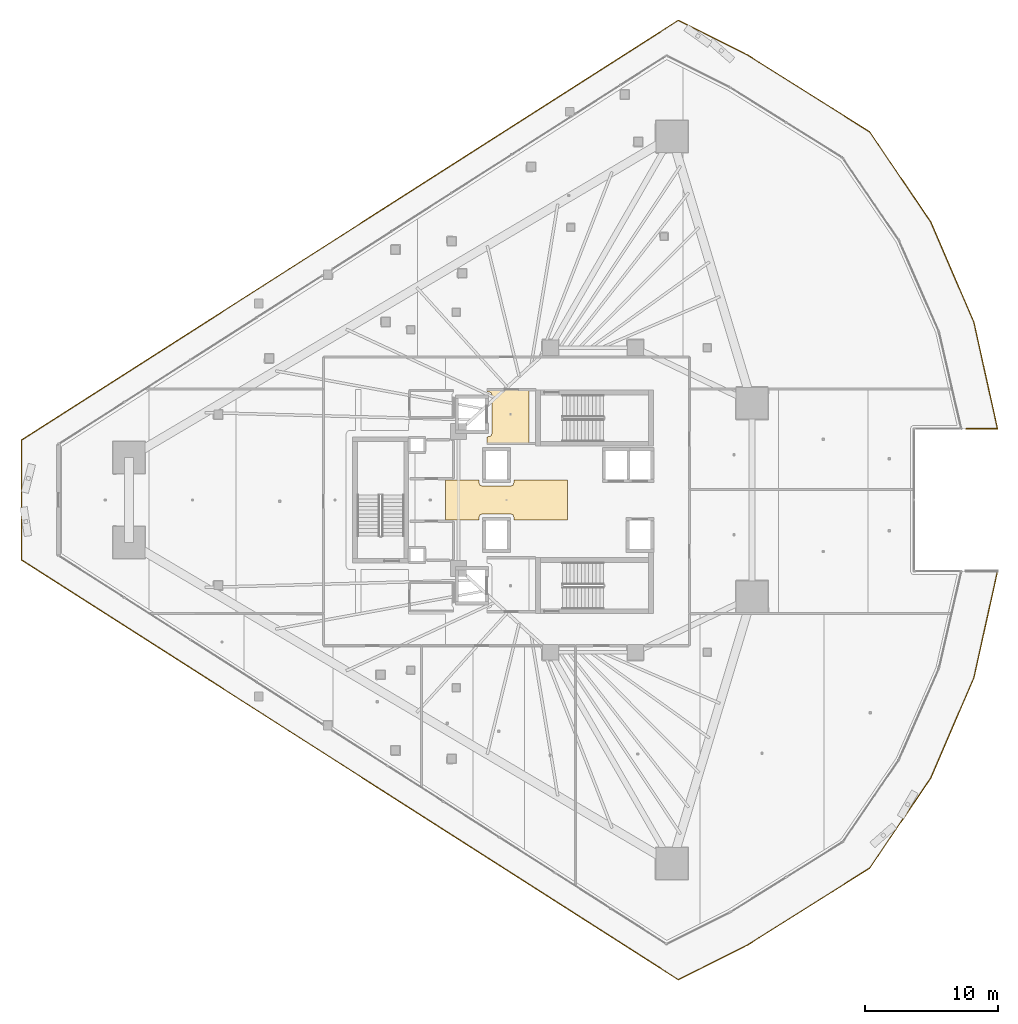
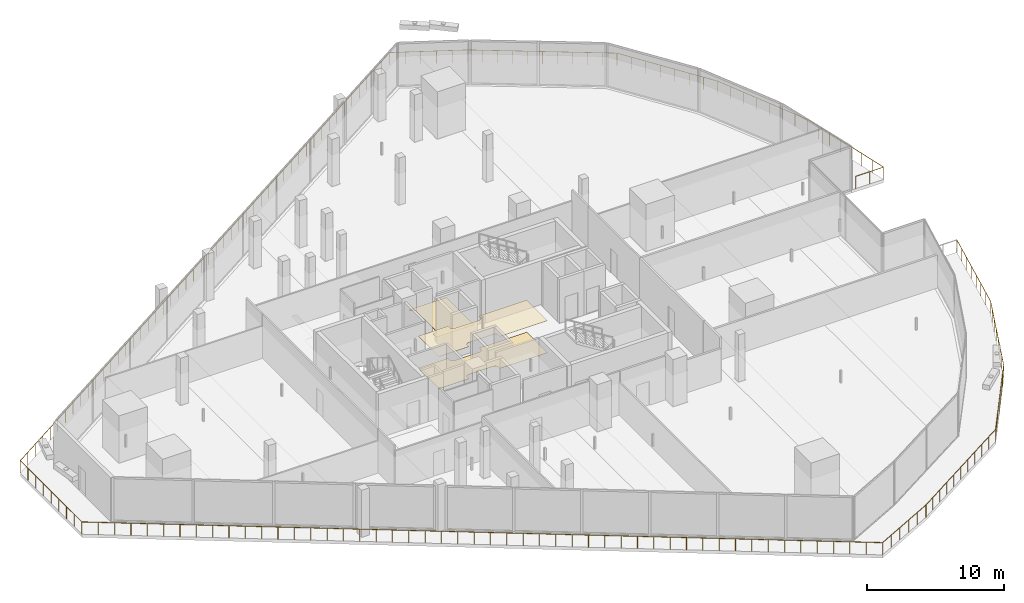
# One storey, part 42 of 44: 3 coverings, 1 railing.
"""IFC4 building model written with IfcOpenShell, lengths in metres."""

from ifc_helpers import new_model, si_unit, direction, frame, origin, origin_2d, place, context, subcontext, project, spatial, polyline, circle, outline, extrude, material, layer, layer_set, type_object, element, save


model = new_model("IFC4")

# Units and contexts
model_context = context("Model", 3, precision=1e-05, world=origin(), true_north=direction((0.0, 1.0)))
body_context = subcontext(model_context, "Body", "Model", "MODEL_VIEW")
ifc_project = project(units=[si_unit("LENGTHUNIT", "METRE"), si_unit("AREAUNIT", "SQUARE_METRE"), si_unit("VOLUMEUNIT", "CUBIC_METRE"), si_unit("PLANEANGLEUNIT", "RADIAN"), si_unit("MASSUNIT", "GRAM", prefix="KILO")], contexts=[model_context])

# Site, building, storey
site_placement = place(None, origin())
site = spatial("IfcSite", under=ifc_project, at=site_placement, CompositionType="ELEMENT")
building_placement = place(site_placement, origin())
building = spatial("IfcBuilding", under=site, at=building_placement, Name="Qorvath Tower", CompositionType="ELEMENT")
storey_placement = place(building_placement, frame((0.0, 0.0, 40.800048828125)))
storey = spatial("IfcBuildingStorey", under=building, at=storey_placement, Name="L08", CompositionType="ELEMENT", Elevation=40.800048828125)

# Coverings
ifc_material_1 = material(Name="Acoustic mineral fibre ceiling tile", Category="gypsum")
ifc_layer_1 = layer(ifc_material_1, 0.030029296875)
ifc_layer_set_1 = layer_set([ifc_layer_1], Name="COV-CEIL")
covering_type_1 = type_object("IfcCoveringType", Name="COV-CEIL", PredefinedType="CEILING", material=ifc_layer_set_1)
covering_1_placement = place(storey_placement, frame((0.0, 0.0, 2.849853515625)))
element("IfcCovering", 1, at=covering_1_placement, inside=storey, type_object=covering_type_1, Name="L08 Suspended Acoustic Ceiling 009", PredefinedType="CEILING", context=body_context, shape_type="SweptSolid", body=[
    extrude(outline(polyline([(-22.318359375, -1.514892578125), (-22.318359375, 1.514892578125), (-26.340087890625, 1.514892578125), (-26.340087890625, 1.2900390625), (-26.413330078125, 1.11328125), (-26.590087890625, 1.0400390625), (-28.7099609375, 1.0400390625), (-28.88671875, 1.11328125), (-28.9599609375, 1.2900390625), (-28.9599609375, 1.514892578125), (-31.481689453125, 1.514892578125), (-31.481689453125, -1.514892578125), (-28.9599609375, -1.514892578125), (-28.9599609375, -1.2900390625), (-28.88671875, -1.11328125), (-28.7099609375, -1.0400390625), (-26.590087890625, -1.0400390625), (-26.413330078125, -1.11328125), (-26.340087890625, -1.2900390625), (-26.340087890625, -1.514892578125), (-22.318359375, -1.514892578125)])), origin(), (0.0, 0.0, 1.0), 0.030029296875),
])
ifc_material_2 = material(Name="Polished epoxy terrazzo flooring", Category="concrete")
ifc_layer_2 = layer(ifc_material_2, 0.02001953125)
ifc_layer_set_2 = layer_set([ifc_layer_2], Name="COV-FLOOR-TRZ")
covering_type_2 = type_object("IfcCoveringType", Name="COV-FLOOR-TRZ", PredefinedType="FLOORING", material=ifc_layer_set_2)
covering_2_placement = place(storey_placement, origin())
element("IfcCovering", 2, at=covering_2_placement, inside=storey, type_object=covering_type_2, Name="L08 Floor Finish 001", PredefinedType="FLOORING", context=body_context, shape_type="SweptSolid", body=[
    extrude(outline(polyline([(-25.18994140625, 4.2548828125), (-25.18994140625, 8.294921875), (-28.375, 8.294921875), (-28.375, 8.159912109375), (-28.063232421875, 8.086669921875), (-27.989990234375, 7.909912109375), (-27.989990234375, 4.989990234375), (-28.063232421875, 4.813232421875), (-28.375, 4.739990234375), (-28.375, 4.2548828125), (-25.18994140625, 4.2548828125)])), origin(), (0.0, 0.0, 1.0), 0.014892578125),
])
covering_3_placement = place(storey_placement, origin())
element("IfcCovering", 3, at=covering_3_placement, inside=storey, type_object=covering_type_2, Name="L08 Floor Finish 009", PredefinedType="FLOORING", context=body_context, shape_type="SweptSolid", body=[
    extrude(outline(polyline([(-22.318359375, -1.514892578125), (-22.318359375, 1.514892578125), (-26.340087890625, 1.514892578125), (-26.340087890625, 1.2900390625), (-26.413330078125, 1.11328125), (-26.590087890625, 1.0400390625), (-28.7099609375, 1.0400390625), (-28.88671875, 1.11328125), (-28.9599609375, 1.2900390625), (-28.9599609375, 1.514892578125), (-31.481689453125, 1.514892578125), (-31.481689453125, -1.514892578125), (-28.9599609375, -1.514892578125), (-28.9599609375, -1.2900390625), (-28.88671875, -1.11328125), (-28.7099609375, -1.0400390625), (-26.590087890625, -1.0400390625), (-26.413330078125, -1.11328125), (-26.340087890625, -1.2900390625), (-26.340087890625, -1.514892578125), (-22.318359375, -1.514892578125)])), origin(), (0.0, 0.0, 1.0), 0.014892578125),
])

# Railing
ifc_material_3 = material(Name="Laminated safety glass and stainless steel AISI 316", Category="steel")
railing_type = type_object("IfcRailingType", Name="RL-EXT-GRD", PredefinedType="GUARDRAIL", material=ifc_material_3)
railing_placement = place(storey_placement, frame((10.030029296875, -5.356689453125, 0.0)))
element("IfcRailing", 4, at=railing_placement, inside=storey, type_object=railing_type, Name="Loggia Perimeter Guardrail L08-1.1", PredefinedType="GUARDRAIL", context=body_context, shape_type="SweptSolid", body=[
    extrude(circle(Radius=0.02392578125, at=origin_2d()), frame((0.0, 0.0, 1.09619140625), z_axis=(-0.216073224213, -0.976377161643, 0.0), x_axis=(0.976377161643, -0.216073224213, 0.0)), (0.0, 0.0, 1.0), 8.203125),
    extrude(circle(Radius=0.02392578125, at=origin_2d()), frame((-1.7724609375, -8.00927734375, 1.09619140625), z_axis=(-0.395484853012, -0.918472498792, 0.0), x_axis=(0.918472498792, -0.395484853012, 0.0)), (0.0, 0.0, 1.0), 8.202880859375),
    extrude(circle(Radius=0.02392578125, at=origin_2d()), frame((-5.0166015625, -15.54345703125, 1.09619140625), z_axis=(-0.560818530713, -0.827938751121, 0.0), x_axis=(0.827938751121, -0.560818530713, 0.0)), (0.0, 0.0, 1.0), 8.202880859375),
    extrude(circle(Radius=0.02392578125, at=origin_2d()), frame((-9.616943359375, -22.3349609375, 1.09619140625), z_axis=(-0.846493615639, -0.532398871789, 0.0), x_axis=(0.532398871789, -0.846493615639, 0.0)), (0.0, 0.0, 1.0), 10.908447265625),
    extrude(circle(Radius=0.02392578125, at=origin_2d()), frame((-18.850830078125, -28.142578125, 1.09619140625), z_axis=(-0.894427191, -0.4472135955, 0.0), x_axis=(0.4472135955, -0.894427191, 0.0)), (0.0, 0.0, 1.0), 5.76220703125),
    extrude(circle(Radius=0.02392578125, at=origin_2d()), frame((-24.004638671875, -30.719482421875, 1.09619140625), z_axis=(-0.842603389568, 0.538534611598, 0.0), x_axis=(-0.538534611598, -0.842603389568, 0.0)), (0.0, 0.0, 1.0), 58.61572265625),
    extrude(circle(Radius=0.02392578125, at=origin_2d()), frame((-73.39453125, 0.84716796875, 1.09619140625), z_axis=(0.0, 1.0, 0.0), x_axis=(-1.0, 0.0, 0.0)), (0.0, 0.0, 1.0), 9.01904296875),
    extrude(circle(Radius=0.02392578125, at=origin_2d()), frame((-73.39453125, 9.8662109375, 1.09619140625), z_axis=(0.842603389568, 0.538534611598, 0.0), x_axis=(-0.538534611598, 0.842603389568, 0.0)), (0.0, 0.0, 1.0), 58.61572265625),
    extrude(circle(Radius=0.02392578125, at=origin_2d()), frame((-24.004638671875, 41.432861328125, 1.09619140625), z_axis=(0.894427191, -0.4472135955, 0.0), x_axis=(0.4472135955, 0.894427191, 0.0)), (0.0, 0.0, 1.0), 5.76220703125),
    extrude(circle(Radius=0.02392578125, at=origin_2d()), frame((-18.850830078125, 38.85595703125, 1.09619140625), z_axis=(0.846493615639, -0.532398871789, 0.0), x_axis=(0.532398871789, 0.846493615639, 0.0)), (0.0, 0.0, 1.0), 10.908447265625),
    extrude(circle(Radius=0.02392578125, at=origin_2d()), frame((-9.616943359375, 33.04833984375, 1.09619140625), z_axis=(0.560818530713, -0.827938751121, 0.0), x_axis=(0.827938751121, 0.560818530713, 0.0)), (0.0, 0.0, 1.0), 8.202880859375),
    extrude(circle(Radius=0.02392578125, at=origin_2d()), frame((-5.0166015625, 26.2568359375, 1.09619140625), z_axis=(0.395484853012, -0.918472498792, 0.0), x_axis=(0.918472498792, 0.395484853012, 0.0)), (0.0, 0.0, 1.0), 8.202880859375),
    extrude(circle(Radius=0.02392578125, at=origin_2d()), frame((-1.7724609375, 18.72265625, 1.09619140625), z_axis=(0.216073224213, -0.976377161643, 0.0), x_axis=(0.976377161643, 0.216073224213, 0.0)), (0.0, 0.0, 1.0), 8.203125),
    extrude(circle(Radius=0.02392578125, at=origin_2d()), frame((0.0, 10.71337890625, 1.09619140625), z_axis=(-1.0, 0.0, 0.0), x_axis=(0.0, -1.0, 0.0)), (0.0, 0.0, 1.0), 2.3662109375),
    extrude(circle(Radius=0.02099609375, at=origin_2d()), origin(), (0.0, 0.0, 1.0), 1.072021484375),
    extrude(circle(Radius=0.02099609375, at=origin_2d()), frame((-0.253173828125, -1.144287109375, 0.0)), (0.0, 0.0, 1.0), 1.072021484375),
    extrude(circle(Radius=0.02099609375, at=origin_2d()), frame((-0.50634765625, -2.288330078125, 0.0)), (0.0, 0.0, 1.0), 1.072021484375),
    extrude(circle(Radius=0.02099609375, at=origin_2d()), frame((-0.759521484375, -3.4326171875, 0.0)), (0.0, 0.0, 1.0), 1.072021484375),
    extrude(circle(Radius=0.02099609375, at=origin_2d()), frame((-1.012939453125, -4.57666015625, 0.0)), (0.0, 0.0, 1.0), 1.072021484375),
    extrude(circle(Radius=0.02099609375, at=origin_2d()), frame((-1.26611328125, -5.720947265625, 0.0)), (0.0, 0.0, 1.0), 1.072021484375),
    extrude(circle(Radius=0.02099609375, at=origin_2d()), frame((-1.519287109375, -6.864990234375, 0.0)), (0.0, 0.0, 1.0), 1.072021484375),
    extrude(circle(Radius=0.02099609375, at=origin_2d()), frame((-1.7724609375, -8.00927734375, 0.0)), (0.0, 0.0, 1.0), 1.072021484375),
    extrude(circle(Radius=0.02099609375, at=origin_2d()), frame((-2.23583984375, -9.085693359375, 0.0)), (0.0, 0.0, 1.0), 1.072021484375),
    extrude(circle(Radius=0.02099609375, at=origin_2d()), frame((-2.699462890625, -10.161865234375, 0.0)), (0.0, 0.0, 1.0), 1.072021484375),
    extrude(circle(Radius=0.02099609375, at=origin_2d()), frame((-3.162841796875, -11.23828125, 0.0)), (0.0, 0.0, 1.0), 1.072021484375),
    extrude(circle(Radius=0.02099609375, at=origin_2d()), frame((-3.626220703125, -12.314453125, 0.0)), (0.0, 0.0, 1.0), 1.072021484375),
    extrude(circle(Radius=0.02099609375, at=origin_2d()), frame((-4.089599609375, -13.390869140625, 0.0)), (0.0, 0.0, 1.0), 1.072021484375),
    extrude(circle(Radius=0.02099609375, at=origin_2d()), frame((-4.55322265625, -14.467041015625, 0.0)), (0.0, 0.0, 1.0), 1.072021484375),
    extrude(circle(Radius=0.02099609375, at=origin_2d()), frame((-5.0166015625, -15.54345703125, 0.0)), (0.0, 0.0, 1.0), 1.072021484375),
    extrude(circle(Radius=0.02099609375, at=origin_2d()), frame((-5.673828125, -16.513671875, 0.0)), (0.0, 0.0, 1.0), 1.072021484375),
    extrude(circle(Radius=0.02099609375, at=origin_2d()), frame((-6.3310546875, -17.48388671875, 0.0)), (0.0, 0.0, 1.0), 1.072021484375),
    extrude(circle(Radius=0.02099609375, at=origin_2d()), frame((-6.98828125, -18.4541015625, 0.0)), (0.0, 0.0, 1.0), 1.072021484375),
    extrude(circle(Radius=0.02099609375, at=origin_2d()), frame((-7.645263671875, -19.42431640625, 0.0)), (0.0, 0.0, 1.0), 1.072021484375),
    extrude(circle(Radius=0.02099609375, at=origin_2d()), frame((-8.302490234375, -20.39453125, 0.0)), (0.0, 0.0, 1.0), 1.072021484375),
    extrude(circle(Radius=0.02099609375, at=origin_2d()), frame((-8.959716796875, -21.36474609375, 0.0)), (0.0, 0.0, 1.0), 1.072021484375),
    extrude(circle(Radius=0.02099609375, at=origin_2d()), frame((-9.616943359375, -22.3349609375, 0.0)), (0.0, 0.0, 1.0), 1.072021484375),
    extrude(circle(Radius=0.02099609375, at=origin_2d()), frame((-10.540283203125, -22.915771484375, 0.0)), (0.0, 0.0, 1.0), 1.072021484375),
    extrude(circle(Radius=0.02099609375, at=origin_2d()), frame((-11.463623046875, -23.49658203125, 0.0)), (0.0, 0.0, 1.0), 1.072021484375),
    extrude(circle(Radius=0.02099609375, at=origin_2d()), frame((-12.38720703125, -24.0771484375, 0.0)), (0.0, 0.0, 1.0), 1.072021484375),
    extrude(circle(Radius=0.02099609375, at=origin_2d()), frame((-13.310546875, -24.657958984375, 0.0)), (0.0, 0.0, 1.0), 1.072021484375),
    extrude(circle(Radius=0.02099609375, at=origin_2d()), frame((-14.23388671875, -25.23876953125, 0.0)), (0.0, 0.0, 1.0), 1.072021484375),
    extrude(circle(Radius=0.02099609375, at=origin_2d()), frame((-15.1572265625, -25.819580078125, 0.0)), (0.0, 0.0, 1.0), 1.072021484375),
    extrude(circle(Radius=0.02099609375, at=origin_2d()), frame((-16.08056640625, -26.400390625, 0.0)), (0.0, 0.0, 1.0), 1.072021484375),
    extrude(circle(Radius=0.02099609375, at=origin_2d()), frame((-17.004150390625, -26.98095703125, 0.0)), (0.0, 0.0, 1.0), 1.072021484375),
    extrude(circle(Radius=0.02099609375, at=origin_2d()), frame((-17.927490234375, -27.561767578125, 0.0)), (0.0, 0.0, 1.0), 1.072021484375),
    extrude(circle(Radius=0.02099609375, at=origin_2d()), frame((-18.850830078125, -28.142578125, 0.0)), (0.0, 0.0, 1.0), 1.072021484375),
    extrude(circle(Radius=0.02099609375, at=origin_2d()), frame((-19.881591796875, -28.657958984375, 0.0)), (0.0, 0.0, 1.0), 1.072021484375),
    extrude(circle(Radius=0.02099609375, at=origin_2d()), frame((-20.912353515625, -29.17333984375, 0.0)), (0.0, 0.0, 1.0), 1.072021484375),
    extrude(circle(Radius=0.02099609375, at=origin_2d()), frame((-21.943115234375, -29.688720703125, 0.0)), (0.0, 0.0, 1.0), 1.072021484375),
    extrude(circle(Radius=0.02099609375, at=origin_2d()), frame((-22.973876953125, -30.2041015625, 0.0)), (0.0, 0.0, 1.0), 1.072021484375),
    extrude(circle(Radius=0.02099609375, at=origin_2d()), frame((-24.004638671875, -30.719482421875, 0.0)), (0.0, 0.0, 1.0), 1.072021484375),
    extrude(circle(Radius=0.02099609375, at=origin_2d()), frame((-25.0126953125, -30.0751953125, 0.0)), (0.0, 0.0, 1.0), 1.072021484375),
    extrude(circle(Radius=0.02099609375, at=origin_2d()), frame((-26.0205078125, -29.43115234375, 0.0)), (0.0, 0.0, 1.0), 1.072021484375),
    extrude(circle(Radius=0.02099609375, at=origin_2d()), frame((-27.028564453125, -28.786865234375, 0.0)), (0.0, 0.0, 1.0), 1.072021484375),
    extrude(circle(Radius=0.02099609375, at=origin_2d()), frame((-28.036376953125, -28.142578125, 0.0)), (0.0, 0.0, 1.0), 1.072021484375),
    extrude(circle(Radius=0.02099609375, at=origin_2d()), frame((-29.04443359375, -27.498291015625, 0.0)), (0.0, 0.0, 1.0), 1.072021484375),
    extrude(circle(Radius=0.02099609375, at=origin_2d()), frame((-30.052490234375, -26.854248046875, 0.0)), (0.0, 0.0, 1.0), 1.072021484375),
    extrude(circle(Radius=0.02099609375, at=origin_2d()), frame((-31.060302734375, -26.2099609375, 0.0)), (0.0, 0.0, 1.0), 1.072021484375),
    extrude(circle(Radius=0.02099609375, at=origin_2d()), frame((-32.068359375, -25.565673828125, 0.0)), (0.0, 0.0, 1.0), 1.072021484375),
    extrude(circle(Radius=0.02099609375, at=origin_2d()), frame((-33.076171875, -24.921630859375, 0.0)), (0.0, 0.0, 1.0), 1.072021484375),
    extrude(circle(Radius=0.02099609375, at=origin_2d()), frame((-34.084228515625, -24.27734375, 0.0)), (0.0, 0.0, 1.0), 1.072021484375),
    extrude(circle(Radius=0.02099609375, at=origin_2d()), frame((-35.09228515625, -23.633056640625, 0.0)), (0.0, 0.0, 1.0), 1.072021484375),
    extrude(circle(Radius=0.02099609375, at=origin_2d()), frame((-36.10009765625, -22.98876953125, 0.0)), (0.0, 0.0, 1.0), 1.072021484375),
    extrude(circle(Radius=0.02099609375, at=origin_2d()), frame((-37.108154296875, -22.3447265625, 0.0)), (0.0, 0.0, 1.0), 1.072021484375),
    extrude(circle(Radius=0.02099609375, at=origin_2d()), frame((-38.115966796875, -21.700439453125, 0.0)), (0.0, 0.0, 1.0), 1.072021484375),
    extrude(circle(Radius=0.02099609375, at=origin_2d()), frame((-39.1240234375, -21.05615234375, 0.0)), (0.0, 0.0, 1.0), 1.072021484375),
    extrude(circle(Radius=0.02099609375, at=origin_2d()), frame((-40.1318359375, -20.412109375, 0.0)), (0.0, 0.0, 1.0), 1.072021484375),
    extrude(circle(Radius=0.02099609375, at=origin_2d()), frame((-41.139892578125, -19.767822265625, 0.0)), (0.0, 0.0, 1.0), 1.072021484375),
    extrude(circle(Radius=0.02099609375, at=origin_2d()), frame((-42.14794921875, -19.12353515625, 0.0)), (0.0, 0.0, 1.0), 1.072021484375),
    extrude(circle(Radius=0.02099609375, at=origin_2d()), frame((-43.15576171875, -18.479248046875, 0.0)), (0.0, 0.0, 1.0), 1.072021484375),
    extrude(circle(Radius=0.02099609375, at=origin_2d()), frame((-44.163818359375, -17.835205078125, 0.0)), (0.0, 0.0, 1.0), 1.072021484375),
    extrude(circle(Radius=0.02099609375, at=origin_2d()), frame((-45.171630859375, -17.19091796875, 0.0)), (0.0, 0.0, 1.0), 1.072021484375),
    extrude(circle(Radius=0.02099609375, at=origin_2d()), frame((-46.1796875, -16.546630859375, 0.0)), (0.0, 0.0, 1.0), 1.072021484375),
    extrude(circle(Radius=0.02099609375, at=origin_2d()), frame((-47.187744140625, -15.902587890625, 0.0)), (0.0, 0.0, 1.0), 1.072021484375),
    extrude(circle(Radius=0.02099609375, at=origin_2d()), frame((-48.195556640625, -15.25830078125, 0.0)), (0.0, 0.0, 1.0), 1.072021484375),
    extrude(circle(Radius=0.02099609375, at=origin_2d()), frame((-49.20361328125, -14.614013671875, 0.0)), (0.0, 0.0, 1.0), 1.072021484375),
    extrude(circle(Radius=0.02099609375, at=origin_2d()), frame((-50.21142578125, -13.9697265625, 0.0)), (0.0, 0.0, 1.0), 1.072021484375),
    extrude(circle(Radius=0.02099609375, at=origin_2d()), frame((-51.219482421875, -13.32568359375, 0.0)), (0.0, 0.0, 1.0), 1.072021484375),
    extrude(circle(Radius=0.02099609375, at=origin_2d()), frame((-52.2275390625, -12.681396484375, 0.0)), (0.0, 0.0, 1.0), 1.072021484375),
    extrude(circle(Radius=0.02099609375, at=origin_2d()), frame((-53.2353515625, -12.037109375, 0.0)), (0.0, 0.0, 1.0), 1.072021484375),
    extrude(circle(Radius=0.02099609375, at=origin_2d()), frame((-54.243408203125, -11.39306640625, 0.0)), (0.0, 0.0, 1.0), 1.072021484375),
    extrude(circle(Radius=0.02099609375, at=origin_2d()), frame((-55.251220703125, -10.748779296875, 0.0)), (0.0, 0.0, 1.0), 1.072021484375),
    extrude(circle(Radius=0.02099609375, at=origin_2d()), frame((-56.25927734375, -10.1044921875, 0.0)), (0.0, 0.0, 1.0), 1.072021484375),
    extrude(circle(Radius=0.02099609375, at=origin_2d()), frame((-57.267333984375, -9.460205078125, 0.0)), (0.0, 0.0, 1.0), 1.072021484375),
    extrude(circle(Radius=0.02099609375, at=origin_2d()), frame((-58.275146484375, -8.816162109375, 0.0)), (0.0, 0.0, 1.0), 1.072021484375),
    extrude(circle(Radius=0.02099609375, at=origin_2d()), frame((-59.283203125, -8.171875, 0.0)), (0.0, 0.0, 1.0), 1.072021484375),
    extrude(circle(Radius=0.02099609375, at=origin_2d()), frame((-60.291015625, -7.527587890625, 0.0)), (0.0, 0.0, 1.0), 1.072021484375),
    extrude(circle(Radius=0.02099609375, at=origin_2d()), frame((-61.299072265625, -6.883544921875, 0.0)), (0.0, 0.0, 1.0), 1.072021484375),
    extrude(circle(Radius=0.02099609375, at=origin_2d()), frame((-62.306884765625, -6.2392578125, 0.0)), (0.0, 0.0, 1.0), 1.072021484375),
    extrude(circle(Radius=0.02099609375, at=origin_2d()), frame((-63.31494140625, -5.594970703125, 0.0)), (0.0, 0.0, 1.0), 1.072021484375),
    extrude(circle(Radius=0.02099609375, at=origin_2d()), frame((-64.322998046875, -4.95068359375, 0.0)), (0.0, 0.0, 1.0), 1.072021484375),
    extrude(circle(Radius=0.02099609375, at=origin_2d()), frame((-65.330810546875, -4.306640625, 0.0)), (0.0, 0.0, 1.0), 1.072021484375),
    extrude(circle(Radius=0.02099609375, at=origin_2d()), frame((-66.3388671875, -3.662353515625, 0.0)), (0.0, 0.0, 1.0), 1.072021484375),
    extrude(circle(Radius=0.02099609375, at=origin_2d()), frame((-67.3466796875, -3.01806640625, 0.0)), (0.0, 0.0, 1.0), 1.072021484375),
    extrude(circle(Radius=0.02099609375, at=origin_2d()), frame((-68.354736328125, -2.3740234375, 0.0)), (0.0, 0.0, 1.0), 1.072021484375),
    extrude(circle(Radius=0.02099609375, at=origin_2d()), frame((-69.36279296875, -1.729736328125, 0.0)), (0.0, 0.0, 1.0), 1.072021484375),
    extrude(circle(Radius=0.02099609375, at=origin_2d()), frame((-70.37060546875, -1.08544921875, 0.0)), (0.0, 0.0, 1.0), 1.072021484375),
    extrude(circle(Radius=0.02099609375, at=origin_2d()), frame((-71.378662109375, -0.441162109375, 0.0)), (0.0, 0.0, 1.0), 1.072021484375),
    extrude(circle(Radius=0.02099609375, at=origin_2d()), frame((-72.386474609375, 0.202880859375, 0.0)), (0.0, 0.0, 1.0), 1.072021484375),
    extrude(circle(Radius=0.02099609375, at=origin_2d()), frame((-73.39453125, 0.84716796875, 0.0)), (0.0, 0.0, 1.0), 1.072021484375),
    extrude(circle(Radius=0.02099609375, at=origin_2d()), frame((-73.39453125, 1.974609375, 0.0)), (0.0, 0.0, 1.0), 1.072021484375),
    extrude(circle(Radius=0.02099609375, at=origin_2d()), frame((-73.39453125, 3.10205078125, 0.0)), (0.0, 0.0, 1.0), 1.072021484375),
    extrude(circle(Radius=0.02099609375, at=origin_2d()), frame((-73.39453125, 4.229248046875, 0.0)), (0.0, 0.0, 1.0), 1.072021484375),
    extrude(circle(Radius=0.02099609375, at=origin_2d()), frame((-73.39453125, 5.356689453125, 0.0)), (0.0, 0.0, 1.0), 1.072021484375),
    extrude(circle(Radius=0.02099609375, at=origin_2d()), frame((-73.39453125, 6.484130859375, 0.0)), (0.0, 0.0, 1.0), 1.072021484375),
    extrude(circle(Radius=0.02099609375, at=origin_2d()), frame((-73.39453125, 7.611328125, 0.0)), (0.0, 0.0, 1.0), 1.072021484375),
    extrude(circle(Radius=0.02099609375, at=origin_2d()), frame((-73.39453125, 8.73876953125, 0.0)), (0.0, 0.0, 1.0), 1.072021484375),
    extrude(circle(Radius=0.02099609375, at=origin_2d()), frame((-73.39453125, 9.8662109375, 0.0)), (0.0, 0.0, 1.0), 1.072021484375),
    extrude(circle(Radius=0.02099609375, at=origin_2d()), frame((-72.386474609375, 10.510498046875, 0.0)), (0.0, 0.0, 1.0), 1.072021484375),
    extrude(circle(Radius=0.02099609375, at=origin_2d()), frame((-71.378662109375, 11.154541015625, 0.0)), (0.0, 0.0, 1.0), 1.072021484375),
    extrude(circle(Radius=0.02099609375, at=origin_2d()), frame((-70.37060546875, 11.798828125, 0.0)), (0.0, 0.0, 1.0), 1.072021484375),
    extrude(circle(Radius=0.02099609375, at=origin_2d()), frame((-69.36279296875, 12.443115234375, 0.0)), (0.0, 0.0, 1.0), 1.072021484375),
    extrude(circle(Radius=0.02099609375, at=origin_2d()), frame((-68.354736328125, 13.08740234375, 0.0)), (0.0, 0.0, 1.0), 1.072021484375),
    extrude(circle(Radius=0.02099609375, at=origin_2d()), frame((-67.3466796875, 13.7314453125, 0.0)), (0.0, 0.0, 1.0), 1.072021484375),
    extrude(circle(Radius=0.02099609375, at=origin_2d()), frame((-66.3388671875, 14.375732421875, 0.0)), (0.0, 0.0, 1.0), 1.072021484375),
    extrude(circle(Radius=0.02099609375, at=origin_2d()), frame((-65.330810546875, 15.02001953125, 0.0)), (0.0, 0.0, 1.0), 1.072021484375),
    extrude(circle(Radius=0.02099609375, at=origin_2d()), frame((-64.322998046875, 15.6640625, 0.0)), (0.0, 0.0, 1.0), 1.072021484375),
    extrude(circle(Radius=0.02099609375, at=origin_2d()), frame((-63.31494140625, 16.308349609375, 0.0)), (0.0, 0.0, 1.0), 1.072021484375),
    extrude(circle(Radius=0.02099609375, at=origin_2d()), frame((-62.306884765625, 16.95263671875, 0.0)), (0.0, 0.0, 1.0), 1.072021484375),
    extrude(circle(Radius=0.02099609375, at=origin_2d()), frame((-61.299072265625, 17.596923828125, 0.0)), (0.0, 0.0, 1.0), 1.072021484375),
    extrude(circle(Radius=0.02099609375, at=origin_2d()), frame((-60.291015625, 18.240966796875, 0.0)), (0.0, 0.0, 1.0), 1.072021484375),
    extrude(circle(Radius=0.02099609375, at=origin_2d()), frame((-59.283203125, 18.88525390625, 0.0)), (0.0, 0.0, 1.0), 1.072021484375),
    extrude(circle(Radius=0.02099609375, at=origin_2d()), frame((-58.275146484375, 19.529541015625, 0.0)), (0.0, 0.0, 1.0), 1.072021484375),
    extrude(circle(Radius=0.02099609375, at=origin_2d()), frame((-57.267333984375, 20.173583984375, 0.0)), (0.0, 0.0, 1.0), 1.072021484375),
    extrude(circle(Radius=0.02099609375, at=origin_2d()), frame((-56.25927734375, 20.81787109375, 0.0)), (0.0, 0.0, 1.0), 1.072021484375),
    extrude(circle(Radius=0.02099609375, at=origin_2d()), frame((-55.251220703125, 21.462158203125, 0.0)), (0.0, 0.0, 1.0), 1.072021484375),
    extrude(circle(Radius=0.02099609375, at=origin_2d()), frame((-54.243408203125, 22.1064453125, 0.0)), (0.0, 0.0, 1.0), 1.072021484375),
    extrude(circle(Radius=0.02099609375, at=origin_2d()), frame((-53.2353515625, 22.75048828125, 0.0)), (0.0, 0.0, 1.0), 1.072021484375),
    extrude(circle(Radius=0.02099609375, at=origin_2d()), frame((-52.2275390625, 23.394775390625, 0.0)), (0.0, 0.0, 1.0), 1.072021484375),
    extrude(circle(Radius=0.02099609375, at=origin_2d()), frame((-51.219482421875, 24.0390625, 0.0)), (0.0, 0.0, 1.0), 1.072021484375),
    extrude(circle(Radius=0.02099609375, at=origin_2d()), frame((-50.21142578125, 24.68310546875, 0.0)), (0.0, 0.0, 1.0), 1.072021484375),
    extrude(circle(Radius=0.02099609375, at=origin_2d()), frame((-49.20361328125, 25.327392578125, 0.0)), (0.0, 0.0, 1.0), 1.072021484375),
    extrude(circle(Radius=0.02099609375, at=origin_2d()), frame((-48.195556640625, 25.9716796875, 0.0)), (0.0, 0.0, 1.0), 1.072021484375),
    extrude(circle(Radius=0.02099609375, at=origin_2d()), frame((-47.187744140625, 26.615966796875, 0.0)), (0.0, 0.0, 1.0), 1.072021484375),
    extrude(circle(Radius=0.02099609375, at=origin_2d()), frame((-46.1796875, 27.260009765625, 0.0)), (0.0, 0.0, 1.0), 1.072021484375),
    extrude(circle(Radius=0.02099609375, at=origin_2d()), frame((-45.171630859375, 27.904296875, 0.0)), (0.0, 0.0, 1.0), 1.072021484375),
    extrude(circle(Radius=0.02099609375, at=origin_2d()), frame((-44.163818359375, 28.548583984375, 0.0)), (0.0, 0.0, 1.0), 1.072021484375),
    extrude(circle(Radius=0.02099609375, at=origin_2d()), frame((-43.15576171875, 29.192626953125, 0.0)), (0.0, 0.0, 1.0), 1.072021484375),
    extrude(circle(Radius=0.02099609375, at=origin_2d()), frame((-42.14794921875, 29.8369140625, 0.0)), (0.0, 0.0, 1.0), 1.072021484375),
    extrude(circle(Radius=0.02099609375, at=origin_2d()), frame((-41.139892578125, 30.481201171875, 0.0)), (0.0, 0.0, 1.0), 1.072021484375),
    extrude(circle(Radius=0.02099609375, at=origin_2d()), frame((-40.1318359375, 31.12548828125, 0.0)), (0.0, 0.0, 1.0), 1.072021484375),
    extrude(circle(Radius=0.02099609375, at=origin_2d()), frame((-39.1240234375, 31.76953125, 0.0)), (0.0, 0.0, 1.0), 1.072021484375),
    extrude(circle(Radius=0.02099609375, at=origin_2d()), frame((-38.115966796875, 32.413818359375, 0.0)), (0.0, 0.0, 1.0), 1.072021484375),
    extrude(circle(Radius=0.02099609375, at=origin_2d()), frame((-37.108154296875, 33.05810546875, 0.0)), (0.0, 0.0, 1.0), 1.072021484375),
    extrude(circle(Radius=0.02099609375, at=origin_2d()), frame((-36.10009765625, 33.7021484375, 0.0)), (0.0, 0.0, 1.0), 1.072021484375),
    extrude(circle(Radius=0.02099609375, at=origin_2d()), frame((-35.09228515625, 34.346435546875, 0.0)), (0.0, 0.0, 1.0), 1.072021484375),
    extrude(circle(Radius=0.02099609375, at=origin_2d()), frame((-34.084228515625, 34.99072265625, 0.0)), (0.0, 0.0, 1.0), 1.072021484375),
    extrude(circle(Radius=0.02099609375, at=origin_2d()), frame((-33.076171875, 35.635009765625, 0.0)), (0.0, 0.0, 1.0), 1.072021484375),
    extrude(circle(Radius=0.02099609375, at=origin_2d()), frame((-32.068359375, 36.279052734375, 0.0)), (0.0, 0.0, 1.0), 1.072021484375),
    extrude(circle(Radius=0.02099609375, at=origin_2d()), frame((-31.060302734375, 36.92333984375, 0.0)), (0.0, 0.0, 1.0), 1.072021484375),
    extrude(circle(Radius=0.02099609375, at=origin_2d()), frame((-30.052490234375, 37.567626953125, 0.0)), (0.0, 0.0, 1.0), 1.072021484375),
    extrude(circle(Radius=0.02099609375, at=origin_2d()), frame((-29.04443359375, 38.211669921875, 0.0)), (0.0, 0.0, 1.0), 1.072021484375),
    extrude(circle(Radius=0.02099609375, at=origin_2d()), frame((-28.036376953125, 38.85595703125, 0.0)), (0.0, 0.0, 1.0), 1.072021484375),
    extrude(circle(Radius=0.02099609375, at=origin_2d()), frame((-27.028564453125, 39.500244140625, 0.0)), (0.0, 0.0, 1.0), 1.072021484375),
    extrude(circle(Radius=0.02099609375, at=origin_2d()), frame((-26.0205078125, 40.14453125, 0.0)), (0.0, 0.0, 1.0), 1.072021484375),
    extrude(circle(Radius=0.02099609375, at=origin_2d()), frame((-25.0126953125, 40.78857421875, 0.0)), (0.0, 0.0, 1.0), 1.072021484375),
    extrude(circle(Radius=0.02099609375, at=origin_2d()), frame((-24.004638671875, 41.432861328125, 0.0)), (0.0, 0.0, 1.0), 1.072021484375),
    extrude(circle(Radius=0.02099609375, at=origin_2d()), frame((-22.973876953125, 40.91748046875, 0.0)), (0.0, 0.0, 1.0), 1.072021484375),
    extrude(circle(Radius=0.02099609375, at=origin_2d()), frame((-21.943115234375, 40.402099609375, 0.0)), (0.0, 0.0, 1.0), 1.072021484375),
    extrude(circle(Radius=0.02099609375, at=origin_2d()), frame((-20.912353515625, 39.88671875, 0.0)), (0.0, 0.0, 1.0), 1.072021484375),
    extrude(circle(Radius=0.02099609375, at=origin_2d()), frame((-19.881591796875, 39.371337890625, 0.0)), (0.0, 0.0, 1.0), 1.072021484375),
    extrude(circle(Radius=0.02099609375, at=origin_2d()), frame((-18.850830078125, 38.85595703125, 0.0)), (0.0, 0.0, 1.0), 1.072021484375),
    extrude(circle(Radius=0.02099609375, at=origin_2d()), frame((-17.927490234375, 38.275146484375, 0.0)), (0.0, 0.0, 1.0), 1.072021484375),
    extrude(circle(Radius=0.02099609375, at=origin_2d()), frame((-17.004150390625, 37.6943359375, 0.0)), (0.0, 0.0, 1.0), 1.072021484375),
    extrude(circle(Radius=0.02099609375, at=origin_2d()), frame((-16.08056640625, 37.11376953125, 0.0)), (0.0, 0.0, 1.0), 1.072021484375),
    extrude(circle(Radius=0.02099609375, at=origin_2d()), frame((-15.1572265625, 36.532958984375, 0.0)), (0.0, 0.0, 1.0), 1.072021484375),
    extrude(circle(Radius=0.02099609375, at=origin_2d()), frame((-14.23388671875, 35.9521484375, 0.0)), (0.0, 0.0, 1.0), 1.072021484375),
    extrude(circle(Radius=0.02099609375, at=origin_2d()), frame((-13.310546875, 35.371337890625, 0.0)), (0.0, 0.0, 1.0), 1.072021484375),
    extrude(circle(Radius=0.02099609375, at=origin_2d()), frame((-12.38720703125, 34.79052734375, 0.0)), (0.0, 0.0, 1.0), 1.072021484375),
    extrude(circle(Radius=0.02099609375, at=origin_2d()), frame((-11.463623046875, 34.2099609375, 0.0)), (0.0, 0.0, 1.0), 1.072021484375),
    extrude(circle(Radius=0.02099609375, at=origin_2d()), frame((-10.540283203125, 33.629150390625, 0.0)), (0.0, 0.0, 1.0), 1.072021484375),
    extrude(circle(Radius=0.02099609375, at=origin_2d()), frame((-9.616943359375, 33.04833984375, 0.0)), (0.0, 0.0, 1.0), 1.072021484375),
    extrude(circle(Radius=0.02099609375, at=origin_2d()), frame((-8.959716796875, 32.078125, 0.0)), (0.0, 0.0, 1.0), 1.072021484375),
    extrude(circle(Radius=0.02099609375, at=origin_2d()), frame((-8.302490234375, 31.10791015625, 0.0)), (0.0, 0.0, 1.0), 1.072021484375),
    extrude(circle(Radius=0.02099609375, at=origin_2d()), frame((-7.645263671875, 30.1376953125, 0.0)), (0.0, 0.0, 1.0), 1.072021484375),
    extrude(circle(Radius=0.02099609375, at=origin_2d()), frame((-6.98828125, 29.16748046875, 0.0)), (0.0, 0.0, 1.0), 1.072021484375),
    extrude(circle(Radius=0.02099609375, at=origin_2d()), frame((-6.3310546875, 28.197265625, 0.0)), (0.0, 0.0, 1.0), 1.072021484375),
    extrude(circle(Radius=0.02099609375, at=origin_2d()), frame((-5.673828125, 27.22705078125, 0.0)), (0.0, 0.0, 1.0), 1.072021484375),
    extrude(circle(Radius=0.02099609375, at=origin_2d()), frame((-5.0166015625, 26.2568359375, 0.0)), (0.0, 0.0, 1.0), 1.072021484375),
    extrude(circle(Radius=0.02099609375, at=origin_2d()), frame((-4.55322265625, 25.180419921875, 0.0)), (0.0, 0.0, 1.0), 1.072021484375),
    extrude(circle(Radius=0.02099609375, at=origin_2d()), frame((-4.089599609375, 24.104248046875, 0.0)), (0.0, 0.0, 1.0), 1.072021484375),
    extrude(circle(Radius=0.02099609375, at=origin_2d()), frame((-3.626220703125, 23.02783203125, 0.0)), (0.0, 0.0, 1.0), 1.072021484375),
    extrude(circle(Radius=0.02099609375, at=origin_2d()), frame((-3.162841796875, 21.95166015625, 0.0)), (0.0, 0.0, 1.0), 1.072021484375),
    extrude(circle(Radius=0.02099609375, at=origin_2d()), frame((-2.699462890625, 20.875244140625, 0.0)), (0.0, 0.0, 1.0), 1.072021484375),
    extrude(circle(Radius=0.02099609375, at=origin_2d()), frame((-2.23583984375, 19.799072265625, 0.0)), (0.0, 0.0, 1.0), 1.072021484375),
    extrude(circle(Radius=0.02099609375, at=origin_2d()), frame((-1.7724609375, 18.72265625, 0.0)), (0.0, 0.0, 1.0), 1.072021484375),
    extrude(circle(Radius=0.02099609375, at=origin_2d()), frame((-1.519287109375, 17.578369140625, 0.0)), (0.0, 0.0, 1.0), 1.072021484375),
    extrude(circle(Radius=0.02099609375, at=origin_2d()), frame((-1.26611328125, 16.434326171875, 0.0)), (0.0, 0.0, 1.0), 1.072021484375),
    extrude(circle(Radius=0.02099609375, at=origin_2d()), frame((-1.012939453125, 15.2900390625, 0.0)), (0.0, 0.0, 1.0), 1.072021484375),
    extrude(circle(Radius=0.02099609375, at=origin_2d()), frame((-0.759521484375, 14.14599609375, 0.0)), (0.0, 0.0, 1.0), 1.072021484375),
    extrude(circle(Radius=0.02099609375, at=origin_2d()), frame((-0.50634765625, 13.001708984375, 0.0)), (0.0, 0.0, 1.0), 1.072021484375),
    extrude(circle(Radius=0.02099609375, at=origin_2d()), frame((-0.253173828125, 11.857666015625, 0.0)), (0.0, 0.0, 1.0), 1.072021484375),
    extrude(circle(Radius=0.02099609375, at=origin_2d()), frame((0.0, 10.71337890625, 0.0)), (0.0, 0.0, 1.0), 1.072021484375),
    extrude(circle(Radius=0.02099609375, at=origin_2d()), frame((-1.18310546875, 10.71337890625, 0.0)), (0.0, 0.0, 1.0), 1.072021484375),
    extrude(circle(Radius=0.02099609375, at=origin_2d()), frame((-2.3662109375, 10.71337890625, 0.0)), (0.0, 0.0, 1.0), 1.072021484375),
])

save(model, "model.ifc")
